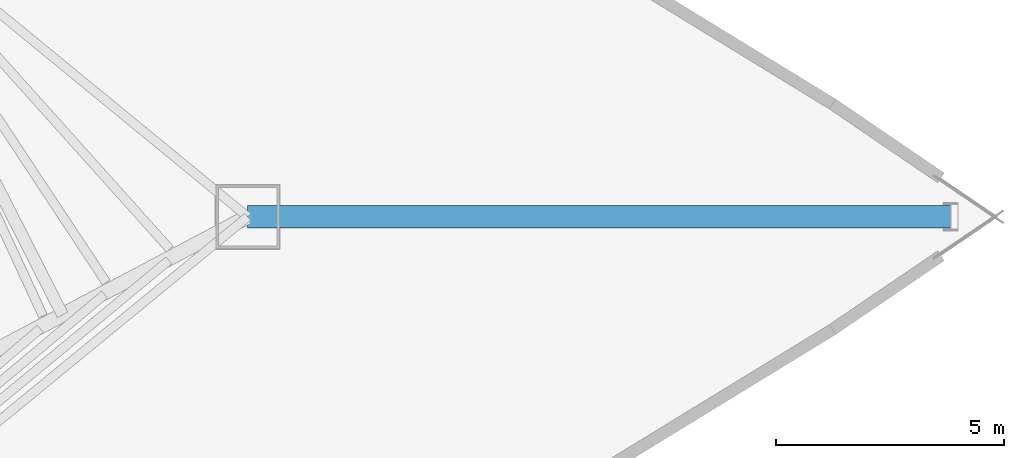
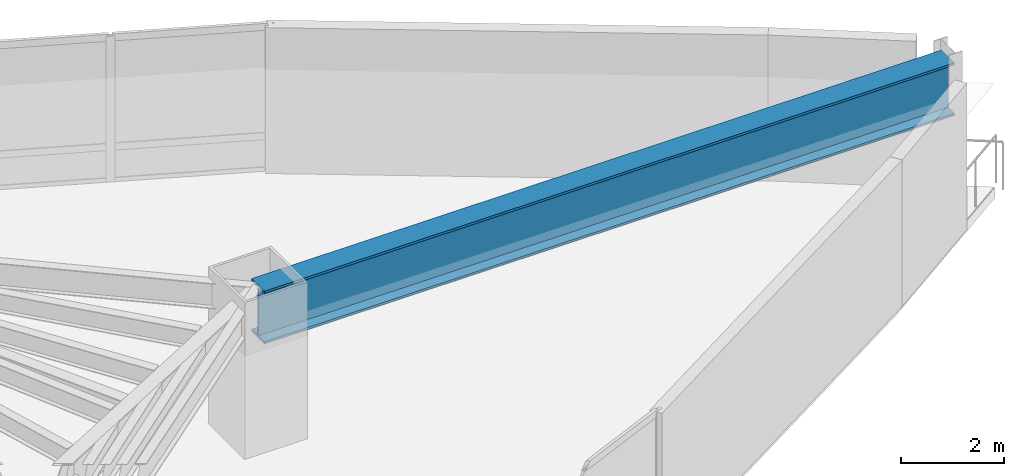
# One storey, part 12 of 20: 1 beam.
"""IFC4 building model written with IfcOpenShell, lengths in metres."""

from ifc_helpers import new_model, si_unit, direction, frame, origin, origin_2d, place, context, subcontext, project, spatial, i_section, extrude, material, material_profile, profile_set, type_object, element, save


model = new_model("IFC4")

# Units and contexts
model_context = context("Model", 3, precision=1e-05, world=origin(), true_north=direction((0.0, 1.0)))
body_context = subcontext(model_context, "Body", "Model", "MODEL_VIEW")
ifc_project = project(units=[si_unit("LENGTHUNIT", "METRE"), si_unit("AREAUNIT", "SQUARE_METRE"), si_unit("VOLUMEUNIT", "CUBIC_METRE"), si_unit("PLANEANGLEUNIT", "RADIAN"), si_unit("MASSUNIT", "GRAM", prefix="KILO")], contexts=[model_context])

# Site, building, storey
site_placement = place(None, origin())
site = spatial("IfcSite", under=ifc_project, at=site_placement, CompositionType="ELEMENT")
building_placement = place(site_placement, origin())
building = spatial("IfcBuilding", under=site, at=building_placement, Name="Menara Vayukalpa", CompositionType="ELEMENT")
storey_placement = place(building_placement, frame((0.0, 0.0, 61.080078125)))
storey = spatial("IfcBuildingStorey", under=building, at=storey_placement, Name="L14", CompositionType="ELEMENT", Elevation=61.080078125)

# Beam
ifc_material = material(Name="Steel S460", Category="steel")
ifc_material_profile = material_profile(ifc_material, i_section(OverallWidth=0.5, OverallDepth=1.25, WebThickness=0.028076171875, FlangeThickness=0.054931640625, at=origin_2d()), Name="WG 1250x500x28x55")
ifc_profile_set = profile_set([ifc_material_profile], Name="Steel S460")
beam_type = type_object("IfcBeamType", Name="BM-TG2", PredefinedType="BEAM", material=ifc_profile_set)
beam_placement = place(storey_placement, frame((42.46484375, 22.0, 2.844970703125), z_axis=(1.0, 0.0, 0.0), x_axis=(0.0, 1.0, 0.0)))
element("IfcBeam", 1, at=beam_placement, inside=storey, type_object=beam_type, Name="L14 SB1 Sky Bar Vierendeel Girder 01", PredefinedType="BEAM", context=body_context, shape_type="SweptSolid", body=[
    extrude(i_section(OverallWidth=0.5, OverallDepth=1.25, WebThickness=0.028076171875, FlangeThickness=0.054931640625, at=origin_2d()), origin(), (0.0, 0.0, 1.0), 15.44287109375),
])

save(model, "model.ifc")
